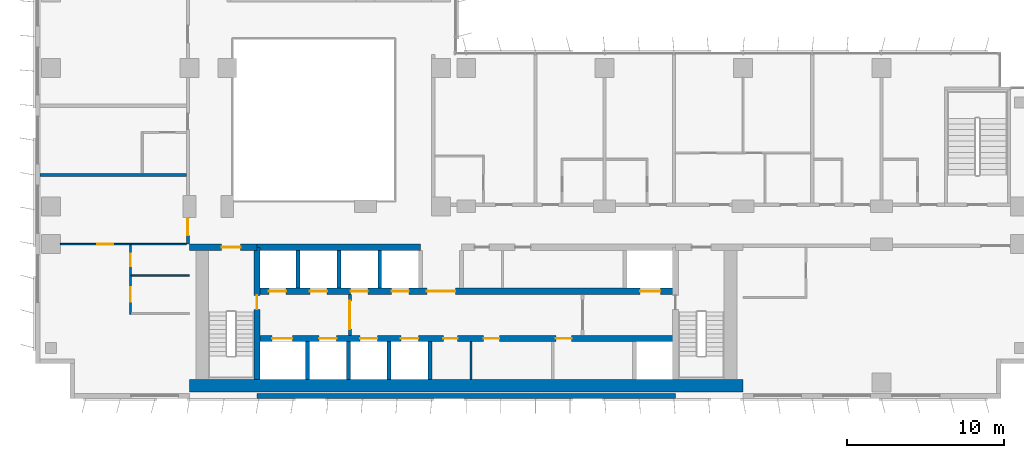
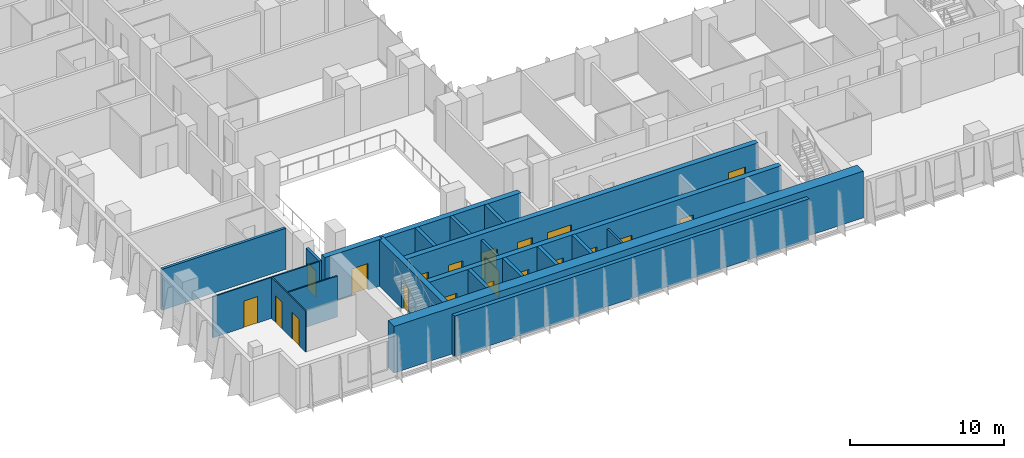
# One storey, part 12 of 22: 21 walls, 20 doors, 20 openings.
"""IFC4 building model written with IfcOpenShell, lengths in metres."""

from ifc_helpers import new_model, si_unit, direction, frame, frame_2d, origin, place, context, subcontext, project, spatial, rectangle, extrude, material, layer, layer_set, type_object, element, fill, save


model = new_model("IFC4")

# Units and contexts
model_context = context("Model", 3, precision=1e-05, world=origin(), true_north=direction((0.0, 1.0)))
body_context = subcontext(model_context, "Body", "Model", "MODEL_VIEW")
ifc_project = project(units=[si_unit("LENGTHUNIT", "METRE"), si_unit("AREAUNIT", "SQUARE_METRE"), si_unit("VOLUMEUNIT", "CUBIC_METRE"), si_unit("PLANEANGLEUNIT", "RADIAN"), si_unit("MASSUNIT", "GRAM", prefix="KILO")], contexts=[model_context])

# Site, building, storey
site_placement = place(None, origin())
site = spatial("IfcSite", under=ifc_project, at=site_placement, CompositionType="ELEMENT")
building_placement = place(site_placement, origin())
building = spatial("IfcBuilding", under=site, at=building_placement, Name="Kemantara Hotel Tower", CompositionType="ELEMENT")
storey_placement = place(building_placement, frame((0.0, 0.0, 129.60009765625)))
storey = spatial("IfcBuildingStorey", under=building, at=storey_placement, Name="L31", CompositionType="ELEMENT", Elevation=129.60009765625)

# Walls
ifc_material_1 = material(Name="Bronze anodised aluminium cladding on insulated steel stud wall", Category="steel")
ifc_layer_1 = layer(ifc_material_1, 0.300048828125)
ifc_layer_set_1 = layer_set([ifc_layer_1], Name="Bronze anodised aluminium cladding on insulated steel stud wall")
wall_type_1 = type_object("IfcWallType", Name="BRONZE METAL-CLAD EXTERNAL WALL 300", PredefinedType="STANDARD", material=ifc_layer_set_1)
wall_1_placement = place(storey_placement, frame((14.10009765625, 0.14990234375, 0.0), z_axis=(0.0, 0.0, 1.0), x_axis=(1.0, 0.0, 0.0)))
element("IfcWall", 1, at=wall_1_placement, inside=storey, type_object=wall_type_1, Name="EXTERNAL WALL L31 T2-R07-2", PredefinedType="STANDARD", context=body_context, shape_type="SweptSolid", body=[
    extrude(rectangle(XDim=26.599853515625, YDim=0.300048828125, at=frame_2d((13.2998046875, 0.0))), origin(), (0.0, 0.0, 1.0), 3.25),
])
ifc_material_2 = material(Name="Concrete fc 70 MPa", Category="concrete")
ifc_layer_2 = layer(ifc_material_2, 0.25)
ifc_layer_set_2 = layer_set([ifc_layer_2], Name="Concrete fc 70 MPa")
wall_type_2 = type_object("IfcWallType", Name="CORE WALL 250 FC70", PredefinedType="SHEAR", material=ifc_layer_set_2)
for number, where, z_axis, x_axis, name in (
    (2, (17.300048828125, 1.199951171875, 0.0), (0.0, 0.0, 1.0), (0.0, 1.0, 0.0), "CORE WALL CW-DS17.3"),
    (3, (19.89990234375, 1.199951171875, 0.0), (0.0, 0.0, 1.0), (0.0, 1.0, 0.0), "CORE WALL CW-DS19.9"),
    (4, (22.5, 1.199951171875, 0.0), (0.0, 0.0, 1.0), (0.0, 1.0, 0.0), "CORE WALL CW-DS22.5"),
    (5, (25.10009765625, 1.199951171875, 0.0), (0.0, 0.0, 1.0), (0.0, 1.0, 0.0), "CORE WALL CW-DS25.1"),
):
    element("IfcWall", number, at=place(storey_placement, frame(where, z_axis=z_axis, x_axis=x_axis)), inside=storey, type_object=wall_type_2, Name=name, PredefinedType="SHEAR", context=body_context, shape_type="SweptSolid", body=[
        extrude(rectangle(XDim=2.400146484375, YDim=0.25, at=frame_2d((1.2001953125, 0.0))), origin(), (0.0, 0.0, 1.0), 3.699951171875),
    ])
for number, where, z_axis, x_axis, name in (
    (6, (16.699951171875, 7.0, 0.0), (0.0, 0.0, 1.0), (0.0, 1.0, 0.0), "CORE WALL CW-DN16.7"),
    (7, (19.300048828125, 7.0, 0.0), (0.0, 0.0, 1.0), (0.0, 1.0, 0.0), "CORE WALL CW-DN19.3"),
    (8, (21.89990234375, 7.0, 0.0), (0.0, 0.0, 1.0), (0.0, 1.0, 0.0), "CORE WALL CW-DN21.9"),
):
    element("IfcWall", number, at=place(storey_placement, frame(where, z_axis=z_axis, x_axis=x_axis)), inside=storey, type_object=wall_type_2, Name=name, PredefinedType="SHEAR", context=body_context, shape_type="SweptSolid", body=[
        extrude(rectangle(XDim=2.39990234375, YDim=0.25, at=frame_2d((1.199951171875, 0.0))), origin(), (0.0, 0.0, 1.0), 3.699951171875),
    ])

# Wall, opening, door
ifc_layer_3 = layer(ifc_material_2, 0.39990234375)
ifc_layer_set_3 = layer_set([ifc_layer_3], Name="Concrete fc 70 MPa")
wall_type_3 = type_object("IfcWallType", Name="CORE WALL 400 FC70", PredefinedType="SHEAR", material=ifc_layer_set_3)
wall_2_placement = place(storey_placement, frame((9.800048828125, 9.60009765625, 0.0), z_axis=(0.0, 0.0, 1.0), x_axis=(1.0, 0.0, 0.0)))
wall_2 = element("IfcWall", 9, at=wall_2_placement, inside=storey, type_object=wall_type_3, Name="CORE WALL CW-N1", PredefinedType="SHEAR", context=body_context, shape_type="SweptSolid", body=[
    extrude(rectangle(XDim=4.300048828125, YDim=0.39990234375, at=frame_2d((2.14990234375, 0.0))), origin(), (0.0, 0.0, 1.0), 3.699951171875),
])
opening_1_placement = place(wall_2_placement, frame((2.050048828125, 0.0, 0.0)))
opening_1 = element("IfcOpeningElement", 10, at=opening_1_placement, cuts=wall_2, Name="Opening C20-ST1-C", PredefinedType="OPENING", context=body_context, shape_type="SweptSolid", body=[
    extrude(rectangle(XDim=1.199951171875, YDim=2.10009765625, at=frame_2d((0.60009765625, 1.050048828125))), frame((0.0, 0.2099609375, 0.0), z_axis=(0.0, -1.0, 0.0), x_axis=(1.0, 0.0, 0.0)), (0.0, 0.0, 1.0), 0.419921875),
])
ifc_material_3 = material(Name="Steel fire door", Category="steel")
door_type_1 = type_object("IfcDoorType", Name="Fire door FD90 1200 x 2100", OperationType="NOTDEFINED", PredefinedType="DOOR", material=ifc_material_3)
door_1_placement = place(opening_1_placement, frame((1.199951171875, 0.0, 0.0), z_axis=(0.0, 0.0, 1.0), x_axis=(-1.0, 0.0, 0.0)))
door_1 = element("IfcDoor", 11, at=door_1_placement, inside=storey, type_object=door_type_1, Name="Stair ST1 door to corridor", OperationType="SINGLE_SWING_LEFT", OverallHeight=2.10009765625, OverallWidth=1.199951171875, PredefinedType="DOOR", context=body_context, shape_type="SweptSolid", body=[
    extrude(rectangle(XDim=1.199951171875, YDim=2.10009765625, at=frame_2d((0.60009765625, 1.050048828125))), frame((0.0, 0.02490234375, 0.0), z_axis=(0.0, -1.0, 0.0), x_axis=(1.0, 0.0, 0.0)), (0.0, 0.0, 1.0), 0.050048828125),
])
fill(opening_1, door_1)

# Wall
wall_3_placement = place(storey_placement, frame((14.10009765625, 9.60009765625, 0.0), z_axis=(0.0, 0.0, 1.0), x_axis=(1.0, 0.0, 0.0)))
element("IfcWall", 12, at=wall_3_placement, inside=storey, type_object=wall_type_3, Name="CORE WALL CW-NN1", PredefinedType="SHEAR", context=body_context, shape_type="SweptSolid", body=[
    extrude(rectangle(XDim=10.39990234375, YDim=0.39990234375, at=frame_2d((5.199951171875, 0.0))), origin(), (0.0, 0.0, 1.0), 3.699951171875),
])

# Wall, openings, doors
wall_4_placement = place(storey_placement, frame((14.10009765625, 3.800048828125, 0.0), z_axis=(0.0, 0.0, 1.0), x_axis=(1.0, 0.0, 0.0)))
wall_4 = element("IfcWall", 13, at=wall_4_placement, inside=storey, type_object=wall_type_3, Name="CORE WALL CW-L1", PredefinedType="SHEAR", context=body_context, shape_type="SweptSolid", body=[
    extrude(rectangle(XDim=26.599853515625, YDim=0.39990234375, at=frame_2d((13.2998046875, 0.0))), origin(), (0.0, 0.0, 1.0), 3.699951171875),
])
opening_2_placement = place(wall_4_placement, frame((0.949951171875, 0.0, 0.0)))
opening_2 = element("IfcOpeningElement", 14, at=opening_2_placement, cuts=wall_4, Name="Opening C20-LD-FF1", PredefinedType="OPENING", context=body_context, shape_type="SweptSolid", body=[
    extrude(rectangle(XDim=1.300048828125, YDim=2.10009765625, at=frame_2d((0.64990234375, 1.050048828125))), frame((0.0, 0.2099609375, 0.0), z_axis=(0.0, -1.0, 0.0), x_axis=(1.0, 0.0, 0.0)), (0.0, 0.0, 1.0), 0.419921875),
])
opening_3_placement = place(wall_4_placement, frame((3.949951171875, 0.0, 0.0)))
opening_3 = element("IfcOpeningElement", 15, at=opening_3_placement, cuts=wall_4, Name="Opening C20-LD-SV1", PredefinedType="OPENING", context=body_context, shape_type="SweptSolid", body=[
    extrude(rectangle(XDim=1.10009765625, YDim=2.10009765625, at=frame_2d((0.550048828125, 1.050048828125))), frame((0.0, 0.2099609375, 0.0), z_axis=(0.0, -1.0, 0.0), x_axis=(1.0, 0.0, 0.0)), (0.0, 0.0, 1.0), 0.419921875),
])
opening_4_placement = place(wall_4_placement, frame((6.550048828125, 0.0, 0.0)))
opening_4 = element("IfcOpeningElement", 16, at=opening_4_placement, cuts=wall_4, Name="Opening C20-LD-SV2", PredefinedType="OPENING", context=body_context, shape_type="SweptSolid", body=[
    extrude(rectangle(XDim=1.10009765625, YDim=2.10009765625, at=frame_2d((0.550048828125, 1.050048828125))), frame((0.0, 0.2099609375, 0.0), z_axis=(0.0, -1.0, 0.0), x_axis=(1.0, 0.0, 0.0)), (0.0, 0.0, 1.0), 0.419921875),
])
opening_5_placement = place(wall_4_placement, frame((9.14990234375, 0.0, 0.0)))
opening_5 = element("IfcOpeningElement", 17, at=opening_5_placement, cuts=wall_4, Name="Opening C20-LD-SV3", PredefinedType="OPENING", context=body_context, shape_type="SweptSolid", body=[
    extrude(rectangle(XDim=1.10009765625, YDim=2.10009765625, at=frame_2d((0.550048828125, 1.050048828125))), frame((0.0, 0.2099609375, 0.0), z_axis=(0.0, -1.0, 0.0), x_axis=(1.0, 0.0, 0.0)), (0.0, 0.0, 1.0), 0.419921875),
])
opening_6_placement = place(wall_4_placement, frame((11.85009765625, 0.0, 0.0)))
opening_6 = element("IfcOpeningElement", 18, at=opening_6_placement, cuts=wall_4, Name="Opening C20-R-SM1", PredefinedType="OPENING", context=body_context, shape_type="SweptSolid", body=[
    extrude(rectangle(XDim=0.89990234375, YDim=2.10009765625, at=frame_2d((0.449951171875, 1.050048828125))), frame((0.0, 0.2099609375, 0.0), z_axis=(0.0, -1.0, 0.0), x_axis=(1.0, 0.0, 0.0)), (0.0, 0.0, 1.0), 0.419921875),
])
opening_7_placement = place(wall_4_placement, frame((14.39990234375, 0.0, 0.0)))
opening_7 = element("IfcOpeningElement", 19, at=opening_7_placement, cuts=wall_4, Name="Opening C20-R-SM2", PredefinedType="OPENING", context=body_context, shape_type="SweptSolid", body=[
    extrude(rectangle(XDim=1.0, YDim=2.10009765625, at=frame_2d((0.5, 1.050048828125))), frame((0.0, 0.2099609375, 0.0), z_axis=(0.0, -1.0, 0.0), x_axis=(1.0, 0.0, 0.0)), (0.0, 0.0, 1.0), 0.419921875),
])
opening_8_placement = place(wall_4_placement, frame((19.0, 0.0, 0.0)))
opening_8 = element("IfcOpeningElement", 20, at=opening_8_placement, cuts=wall_4, Name="Opening C20-R-SM3", PredefinedType="OPENING", context=body_context, shape_type="SweptSolid", body=[
    extrude(rectangle(XDim=1.0, YDim=2.10009765625, at=frame_2d((0.5, 1.050048828125))), frame((0.0, 0.2099609375, 0.0), z_axis=(0.0, -1.0, 0.0), x_axis=(1.0, 0.0, 0.0)), (0.0, 0.0, 1.0), 0.419921875),
])
door_type_2 = type_object("IfcDoorType", Name="Fire door FD30S 1000 x 2100", OperationType="NOTDEFINED", PredefinedType="DOOR", material=ifc_material_3)
door_2_placement = place(opening_7_placement, frame((1.0, 0.0, 0.0), z_axis=(0.0, 0.0, 1.0), x_axis=(-1.0, 0.0, 0.0)))
door_2 = element("IfcDoor", 21, at=door_2_placement, inside=storey, type_object=door_type_2, Name="Luggage Store door", OperationType="SINGLE_SWING_LEFT", OverallHeight=2.10009765625, OverallWidth=1.0, PredefinedType="DOOR", context=body_context, shape_type="SweptSolid", body=[
    extrude(rectangle(XDim=1.0, YDim=2.10009765625, at=frame_2d((0.5, 1.050048828125))), frame((0.0, 0.02490234375, 0.0), z_axis=(0.0, -1.0, 0.0), x_axis=(1.0, 0.0, 0.0)), (0.0, 0.0, 1.0), 0.050048828125),
])
fill(opening_7, door_2)
door_3_placement = place(opening_8_placement, frame((1.0, 0.0, 0.0), z_axis=(0.0, 0.0, 1.0), x_axis=(-1.0, 0.0, 0.0)))
door_3 = element("IfcDoor", 22, at=door_3_placement, inside=storey, type_object=door_type_2, Name="Ice And Vending Room door", OperationType="SINGLE_SWING_LEFT", OverallHeight=2.10009765625, OverallWidth=1.0, PredefinedType="DOOR", context=body_context, shape_type="SweptSolid", body=[
    extrude(rectangle(XDim=1.0, YDim=2.10009765625, at=frame_2d((0.5, 1.050048828125))), frame((0.0, 0.02490234375, 0.0), z_axis=(0.0, -1.0, 0.0), x_axis=(1.0, 0.0, 0.0)), (0.0, 0.0, 1.0), 0.050048828125),
])
fill(opening_8, door_3)
door_type_3 = type_object("IfcDoorType", Name="Fire door FD60 900 x 2100", OperationType="NOTDEFINED", PredefinedType="DOOR", material=ifc_material_3)
door_4_placement = place(opening_6_placement, frame((0.89990234375, 0.0, 0.0), z_axis=(0.0, 0.0, 1.0), x_axis=(-1.0, 0.0, 0.0)))
door_4 = element("IfcDoor", 23, at=door_4_placement, inside=storey, type_object=door_type_3, Name="Electrical Riser Room door", OperationType="SINGLE_SWING_RIGHT", OverallHeight=2.10009765625, OverallWidth=0.89990234375, PredefinedType="DOOR", context=body_context, shape_type="SweptSolid", body=[
    extrude(rectangle(XDim=0.89990234375, YDim=2.10009765625, at=frame_2d((0.449951171875, 1.050048828125))), frame((0.0, 0.02490234375, 0.0), z_axis=(0.0, -1.0, 0.0), x_axis=(1.0, 0.0, 0.0)), (0.0, 0.0, 1.0), 0.050048828125),
])
fill(opening_6, door_4)
ifc_material_4 = material(Name="Stainless steel lift door", Category="steel")
door_type_4 = type_object("IfcDoorType", Name="Lift landing door 1100 x 2100 FD60", OperationType="DOUBLE_DOOR_SLIDING", PredefinedType="DOOR", material=ifc_material_4)
door_5_placement = place(opening_3_placement, origin())
door_5 = element("IfcDoor", 24, at=door_5_placement, inside=storey, type_object=door_type_4, Name="Lift SV1 landing door", OperationType="DOUBLE_DOOR_SLIDING", OverallHeight=2.10009765625, OverallWidth=1.10009765625, PredefinedType="DOOR", context=body_context, shape_type="SweptSolid", body=[
    extrude(rectangle(XDim=1.10009765625, YDim=2.10009765625, at=frame_2d((0.550048828125, 1.050048828125))), frame((0.0, 0.02490234375, 0.0), z_axis=(0.0, -1.0, 0.0), x_axis=(1.0, 0.0, 0.0)), (0.0, 0.0, 1.0), 0.050048828125),
])
fill(opening_3, door_5)
door_6_placement = place(opening_4_placement, origin())
door_6 = element("IfcDoor", 25, at=door_6_placement, inside=storey, type_object=door_type_4, Name="Lift SV2 landing door", OperationType="DOUBLE_DOOR_SLIDING", OverallHeight=2.10009765625, OverallWidth=1.10009765625, PredefinedType="DOOR", context=body_context, shape_type="SweptSolid", body=[
    extrude(rectangle(XDim=1.10009765625, YDim=2.10009765625, at=frame_2d((0.550048828125, 1.050048828125))), frame((0.0, 0.02490234375, 0.0), z_axis=(0.0, -1.0, 0.0), x_axis=(1.0, 0.0, 0.0)), (0.0, 0.0, 1.0), 0.050048828125),
])
fill(opening_4, door_6)
door_7_placement = place(opening_5_placement, origin())
door_7 = element("IfcDoor", 26, at=door_7_placement, inside=storey, type_object=door_type_4, Name="Lift SV3 landing door", OperationType="DOUBLE_DOOR_SLIDING", OverallHeight=2.10009765625, OverallWidth=1.10009765625, PredefinedType="DOOR", context=body_context, shape_type="SweptSolid", body=[
    extrude(rectangle(XDim=1.10009765625, YDim=2.10009765625, at=frame_2d((0.550048828125, 1.050048828125))), frame((0.0, 0.02490234375, 0.0), z_axis=(0.0, -1.0, 0.0), x_axis=(1.0, 0.0, 0.0)), (0.0, 0.0, 1.0), 0.050048828125),
])
fill(opening_5, door_7)
door_type_5 = type_object("IfcDoorType", Name="Lift landing door 1300 x 2100 FD90", OperationType="DOUBLE_DOOR_SLIDING", PredefinedType="DOOR", material=ifc_material_4)
door_8_placement = place(opening_2_placement, origin())
door_8 = element("IfcDoor", 27, at=door_8_placement, inside=storey, type_object=door_type_5, Name="Lift FF1 landing door", OperationType="DOUBLE_DOOR_SLIDING", OverallHeight=2.10009765625, OverallWidth=1.300048828125, PredefinedType="DOOR", context=body_context, shape_type="SweptSolid", body=[
    extrude(rectangle(XDim=1.300048828125, YDim=2.10009765625, at=frame_2d((0.64990234375, 1.050048828125))), frame((0.0, 0.02490234375, 0.0), z_axis=(0.0, -1.0, 0.0), x_axis=(1.0, 0.0, 0.0)), (0.0, 0.0, 1.0), 0.050048828125),
])
fill(opening_2, door_8)

wall_5_placement = place(storey_placement, frame((14.10009765625, 6.800048828125, 0.0), z_axis=(0.0, 0.0, 1.0), x_axis=(1.0, 0.0, 0.0)))
wall_5 = element("IfcWall", 28, at=wall_5_placement, inside=storey, type_object=wall_type_3, Name="CORE WALL CW-L2", PredefinedType="SHEAR", context=body_context, shape_type="SweptSolid", body=[
    extrude(rectangle(XDim=26.599853515625, YDim=0.39990234375, at=frame_2d((13.2998046875, 0.0))), origin(), (0.0, 0.0, 1.0), 3.699951171875),
])
opening_9_placement = place(wall_5_placement, frame((10.800048828125, 0.0, 0.0)))
opening_9 = element("IfcOpeningElement", 29, at=opening_9_placement, cuts=wall_5, Name="Opening C20-VL", PredefinedType="OPENING", context=body_context, shape_type="SweptSolid", body=[
    extrude(rectangle(XDim=1.800048828125, YDim=2.10009765625, at=frame_2d((0.89990234375, 1.050048828125))), frame((0.0, 0.2099609375, 0.0), z_axis=(0.0, -1.0, 0.0), x_axis=(1.0, 0.0, 0.0)), (0.0, 0.0, 1.0), 0.419921875),
])
opening_10_placement = place(wall_5_placement, frame((0.75, 0.0, 0.0)))
opening_10 = element("IfcOpeningElement", 30, at=opening_10_placement, cuts=wall_5, Name="Opening C20-LD-MR1", PredefinedType="OPENING", context=body_context, shape_type="SweptSolid", body=[
    extrude(rectangle(XDim=1.10009765625, YDim=2.10009765625, at=frame_2d((0.550048828125, 1.050048828125))), frame((0.0, 0.2099609375, 0.0), z_axis=(0.0, -1.0, 0.0), x_axis=(1.0, 0.0, 0.0)), (0.0, 0.0, 1.0), 0.419921875),
])
opening_11_placement = place(wall_5_placement, frame((3.35009765625, 0.0, 0.0)))
opening_11 = element("IfcOpeningElement", 31, at=opening_11_placement, cuts=wall_5, Name="Opening C20-LD-MR2", PredefinedType="OPENING", context=body_context, shape_type="SweptSolid", body=[
    extrude(rectangle(XDim=1.10009765625, YDim=2.10009765625, at=frame_2d((0.550048828125, 1.050048828125))), frame((0.0, 0.2099609375, 0.0), z_axis=(0.0, -1.0, 0.0), x_axis=(1.0, 0.0, 0.0)), (0.0, 0.0, 1.0), 0.419921875),
])
opening_12_placement = place(wall_5_placement, frame((5.949951171875, 0.0, 0.0)))
opening_12 = element("IfcOpeningElement", 32, at=opening_12_placement, cuts=wall_5, Name="Opening C20-LD-MR3", PredefinedType="OPENING", context=body_context, shape_type="SweptSolid", body=[
    extrude(rectangle(XDim=1.10009765625, YDim=2.10009765625, at=frame_2d((0.550048828125, 1.050048828125))), frame((0.0, 0.2099609375, 0.0), z_axis=(0.0, -1.0, 0.0), x_axis=(1.0, 0.0, 0.0)), (0.0, 0.0, 1.0), 0.419921875),
])
opening_13_placement = place(wall_5_placement, frame((8.550048828125, 0.0, 0.0)))
opening_13 = element("IfcOpeningElement", 33, at=opening_13_placement, cuts=wall_5, Name="Opening C20-LD-MR4", PredefinedType="OPENING", context=body_context, shape_type="SweptSolid", body=[
    extrude(rectangle(XDim=1.10009765625, YDim=2.10009765625, at=frame_2d((0.550048828125, 1.050048828125))), frame((0.0, 0.2099609375, 0.0), z_axis=(0.0, -1.0, 0.0), x_axis=(1.0, 0.0, 0.0)), (0.0, 0.0, 1.0), 0.419921875),
])
opening_14_placement = place(wall_5_placement, frame((24.35009765625, 0.0, 0.0)))
opening_14 = element("IfcOpeningElement", 34, at=opening_14_placement, cuts=wall_5, Name="Opening C20-LD-FF2", PredefinedType="OPENING", context=body_context, shape_type="SweptSolid", body=[
    extrude(rectangle(XDim=1.300048828125, YDim=2.10009765625, at=frame_2d((0.64990234375, 1.050048828125))), frame((0.0, 0.2099609375, 0.0), z_axis=(0.0, -1.0, 0.0), x_axis=(1.0, 0.0, 0.0)), (0.0, 0.0, 1.0), 0.419921875),
])
door_type_6 = type_object("IfcDoorType", Name="Fire door pair FD60 1800 x 2100", OperationType="DOUBLE_DOOR_SINGLE_SWING", PredefinedType="DOOR", material=ifc_material_3)
door_9_placement = place(opening_9_placement, frame((1.800048828125, 0.0, 0.0), z_axis=(0.0, 0.0, 1.0), x_axis=(-1.0, 0.0, 0.0)))
door_9 = element("IfcDoor", 35, at=door_9_placement, inside=storey, type_object=door_type_6, Name="Lift lobby entry door", OperationType="DOUBLE_DOOR_SINGLE_SWING", OverallHeight=2.10009765625, OverallWidth=1.800048828125, PredefinedType="DOOR", context=body_context, shape_type="SweptSolid", body=[
    extrude(rectangle(XDim=1.800048828125, YDim=2.10009765625, at=frame_2d((0.89990234375, 1.050048828125))), frame((0.0, 0.02490234375, 0.0), z_axis=(0.0, -1.0, 0.0), x_axis=(1.0, 0.0, 0.0)), (0.0, 0.0, 1.0), 0.050048828125),
])
fill(opening_9, door_9)
door_10_placement = place(opening_10_placement, origin())
door_10 = element("IfcDoor", 36, at=door_10_placement, inside=storey, type_object=door_type_4, Name="Lift MR1 landing door", OperationType="DOUBLE_DOOR_SLIDING", OverallHeight=2.10009765625, OverallWidth=1.10009765625, PredefinedType="DOOR", context=body_context, shape_type="SweptSolid", body=[
    extrude(rectangle(XDim=1.10009765625, YDim=2.10009765625, at=frame_2d((0.550048828125, 1.050048828125))), frame((0.0, 0.02490234375, 0.0), z_axis=(0.0, -1.0, 0.0), x_axis=(1.0, 0.0, 0.0)), (0.0, 0.0, 1.0), 0.050048828125),
])
fill(opening_10, door_10)
door_11_placement = place(opening_11_placement, origin())
door_11 = element("IfcDoor", 37, at=door_11_placement, inside=storey, type_object=door_type_4, Name="Lift MR2 landing door", OperationType="DOUBLE_DOOR_SLIDING", OverallHeight=2.10009765625, OverallWidth=1.10009765625, PredefinedType="DOOR", context=body_context, shape_type="SweptSolid", body=[
    extrude(rectangle(XDim=1.10009765625, YDim=2.10009765625, at=frame_2d((0.550048828125, 1.050048828125))), frame((0.0, 0.02490234375, 0.0), z_axis=(0.0, -1.0, 0.0), x_axis=(1.0, 0.0, 0.0)), (0.0, 0.0, 1.0), 0.050048828125),
])
fill(opening_11, door_11)
door_12_placement = place(opening_12_placement, origin())
door_12 = element("IfcDoor", 38, at=door_12_placement, inside=storey, type_object=door_type_4, Name="Lift MR3 landing door", OperationType="DOUBLE_DOOR_SLIDING", OverallHeight=2.10009765625, OverallWidth=1.10009765625, PredefinedType="DOOR", context=body_context, shape_type="SweptSolid", body=[
    extrude(rectangle(XDim=1.10009765625, YDim=2.10009765625, at=frame_2d((0.550048828125, 1.050048828125))), frame((0.0, 0.02490234375, 0.0), z_axis=(0.0, -1.0, 0.0), x_axis=(1.0, 0.0, 0.0)), (0.0, 0.0, 1.0), 0.050048828125),
])
fill(opening_12, door_12)
door_13_placement = place(opening_13_placement, origin())
door_13 = element("IfcDoor", 39, at=door_13_placement, inside=storey, type_object=door_type_4, Name="Lift MR4 landing door", OperationType="DOUBLE_DOOR_SLIDING", OverallHeight=2.10009765625, OverallWidth=1.10009765625, PredefinedType="DOOR", context=body_context, shape_type="SweptSolid", body=[
    extrude(rectangle(XDim=1.10009765625, YDim=2.10009765625, at=frame_2d((0.550048828125, 1.050048828125))), frame((0.0, 0.02490234375, 0.0), z_axis=(0.0, -1.0, 0.0), x_axis=(1.0, 0.0, 0.0)), (0.0, 0.0, 1.0), 0.050048828125),
])
fill(opening_13, door_13)
door_14_placement = place(opening_14_placement, origin())
door_14 = element("IfcDoor", 40, at=door_14_placement, inside=storey, type_object=door_type_5, Name="Lift FF2 landing door", OperationType="DOUBLE_DOOR_SLIDING", OverallHeight=2.10009765625, OverallWidth=1.300048828125, PredefinedType="DOOR", context=body_context, shape_type="SweptSolid", body=[
    extrude(rectangle(XDim=1.300048828125, YDim=2.10009765625, at=frame_2d((0.64990234375, 1.050048828125))), frame((0.0, 0.02490234375, 0.0), z_axis=(0.0, -1.0, 0.0), x_axis=(1.0, 0.0, 0.0)), (0.0, 0.0, 1.0), 0.050048828125),
])
fill(opening_14, door_14)

# Wall, opening, door
wall_6_placement = place(storey_placement, frame((14.10009765625, 1.199951171875, 0.0), z_axis=(0.0, 0.0, 1.0), x_axis=(0.0, 1.0, 0.0)))
wall_6 = element("IfcWall", 41, at=wall_6_placement, inside=storey, type_object=wall_type_3, Name="CORE WALL CW-ST1E", PredefinedType="SHEAR", context=body_context, shape_type="SweptSolid", body=[
    extrude(rectangle(XDim=8.400146484375, YDim=0.39990234375, at=frame_2d((4.2001953125, 0.0))), origin(), (0.0, 0.0, 1.0), 3.699951171875),
])
opening_15_placement = place(wall_6_placement, frame((4.449951171875, 0.0, 0.0)))
opening_15 = element("IfcOpeningElement", 42, at=opening_15_placement, cuts=wall_6, Name="Opening C20-ST1-F", PredefinedType="OPENING", context=body_context, shape_type="SweptSolid", body=[
    extrude(rectangle(XDim=0.89990234375, YDim=2.10009765625, at=frame_2d((0.449951171875, 1.050048828125))), frame((0.0, 0.2099609375, 0.0), z_axis=(0.0, -1.0, 0.0), x_axis=(1.0, 0.0, 0.0)), (0.0, 0.0, 1.0), 0.419921875),
])
door_type_7 = type_object("IfcDoorType", Name="Fire door FD90 900 x 2100", OperationType="NOTDEFINED", PredefinedType="DOOR", material=ifc_material_3)
door_15_placement = place(opening_15_placement, origin())
door_15 = element("IfcDoor", 43, at=door_15_placement, inside=storey, type_object=door_type_7, Name="Stair ST1 door to firefighting lobby", OperationType="SINGLE_SWING_RIGHT", OverallHeight=2.10009765625, OverallWidth=0.89990234375, PredefinedType="DOOR", context=body_context, shape_type="SweptSolid", body=[
    extrude(rectangle(XDim=0.89990234375, YDim=2.10009765625, at=frame_2d((0.449951171875, 1.050048828125))), frame((0.0, 0.02490234375, 0.0), z_axis=(0.0, -1.0, 0.0), x_axis=(1.0, 0.0, 0.0)), (0.0, 0.0, 1.0), 0.050048828125),
])
fill(opening_15, door_15)

# Wall
ifc_layer_4 = layer(ifc_material_2, 0.800048828125)
ifc_layer_set_4 = layer_set([ifc_layer_4], Name="Concrete fc 70 MPa")
wall_type_4 = type_object("IfcWallType", Name="CORE WALL 800 FC70", PredefinedType="SHEAR", material=ifc_layer_set_4)
wall_7_placement = place(storey_placement, frame((9.800048828125, 0.800048828125, 0.0), z_axis=(0.0, 0.0, 1.0), x_axis=(1.0, 0.0, 0.0)))
element("IfcWall", 44, at=wall_7_placement, inside=storey, type_object=wall_type_4, Name="CORE WALL CW-S", PredefinedType="SHEAR", context=body_context, shape_type="SweptSolid", body=[
    extrude(rectangle(XDim=35.199951171875, YDim=0.800048828125, at=frame_2d((17.60009765625, 0.0))), origin(), (0.0, 0.0, 1.0), 3.699951171875),
])

# Wall, opening, door
ifc_material_5 = material(Name="Gypsum board partition, steel studs and mineral wool, 200 mm", Category="steel")
ifc_layer_5 = layer(ifc_material_5, 0.199951171875)
ifc_layer_set_5 = layer_set([ifc_layer_5], Name="Gypsum board partition, steel studs and mineral wool, 200 mm")
wall_type_5 = type_object("IfcWallType", Name="CORRIDOR WALL 200", PredefinedType="PARTITIONING", material=ifc_layer_set_5)
wall_8_placement = place(storey_placement, frame((9.699951171875, 9.800048828125, 0.0), z_axis=(0.0, 0.0, 1.0), x_axis=(0.0, 1.0, 0.0)))
wall_8 = element("IfcWall", 45, at=wall_8_placement, inside=storey, type_object=wall_type_5, Name="CORRIDOR WALL 200 015", PredefinedType="PARTITIONING", context=body_context, shape_type="SweptSolid", body=[
    extrude(rectangle(XDim=1.699951171875, YDim=0.199951171875, at=frame_2d((0.85009765625, 0.0))), origin(), (0.0, 0.0, 1.0), 3.25),
])
opening_16_placement = place(wall_8_placement, frame((0.550048828125, 0.0, 0.0)))
opening_16 = element("IfcOpeningElement", 46, at=opening_16_placement, cuts=wall_8, Name="Opening F14-017", PredefinedType="OPENING", context=body_context, shape_type="SweptSolid", body=[
    extrude(rectangle(XDim=1.10009765625, YDim=2.10009765625, at=frame_2d((0.550048828125, 1.050048828125))), frame((0.0, 0.10986328125, 0.0), z_axis=(0.0, -1.0, 0.0), x_axis=(1.0, 0.0, 0.0)), (0.0, 0.0, 1.0), 0.219970703125),
])
ifc_material_6 = material(Name="Hardwood veneer door leaf with steel frame", Category="steel")
door_type_8 = type_object("IfcDoorType", Name="SUITE ENTRANCE DOOR 1100 X 2100 FD30S", OperationType="NOTDEFINED", PredefinedType="DOOR", material=ifc_material_6)
door_16_placement = place(opening_16_placement, origin())
door_16 = element("IfcDoor", 47, at=door_16_placement, inside=storey, type_object=door_type_8, Name="SUITE ENTRANCE DOOR F14-017", OperationType="SINGLE_SWING_RIGHT", OverallHeight=2.10009765625, OverallWidth=1.10009765625, PredefinedType="DOOR", context=body_context, shape_type="SweptSolid", body=[
    extrude(rectangle(XDim=1.10009765625, YDim=2.10009765625, at=frame_2d((0.550048828125, 1.050048828125))), frame((0.0, 0.02490234375, 0.0), z_axis=(0.0, -1.0, 0.0), x_axis=(1.0, 0.0, 0.0)), (0.0, 0.0, 1.0), 0.050048828125),
])
fill(opening_16, door_16)

# Walls
ifc_layer_6 = layer(ifc_material_5, 0.199951171875)
ifc_layer_set_6 = layer_set([ifc_layer_6], Name="Gypsum board partition, steel studs and mineral wool, 200 mm")
wall_type_6 = type_object("IfcWallType", Name="GUEST ROOM PARTY WALL 200", PredefinedType="PARTITIONING", material=ifc_layer_set_6)
wall_9_placement = place(storey_placement, frame((0.31005859375, 14.199951171875, 0.0), z_axis=(0.0, 0.0, 1.0), x_axis=(1.0, 0.0, 0.0)))
element("IfcWall", 48, at=wall_9_placement, inside=storey, type_object=wall_type_6, Name="GUEST ROOM PARTY WALL 200 024", PredefinedType="PARTITIONING", context=body_context, shape_type="SweptSolid", body=[
    extrude(rectangle(XDim=9.2900390625, YDim=0.199951171875, at=frame_2d((4.64501953125, 0.0))), origin(), (0.0, 0.0, 1.0), 3.25),
])
ifc_material_7 = material(Name="Gypsum board partition")
ifc_layer_7 = layer(ifc_material_7, 0.14990234375)
ifc_layer_set_7 = layer_set([ifc_layer_7], Name="Gypsum board partition")
wall_type_7 = type_object("IfcWallType", Name="Gypsum board partition 150 mm", PredefinedType="PARTITIONING", material=ifc_layer_set_7)
wall_10_placement = place(storey_placement, frame((27.699951171875, 1.199951171875, 0.0), z_axis=(0.0, 0.0, 1.0), x_axis=(0.0, 1.0, 0.0)))
element("IfcWall", 49, at=wall_10_placement, inside=storey, type_object=wall_type_7, Name="Core room partition", PredefinedType="PARTITIONING", context=body_context, shape_type="SweptSolid", body=[
    extrude(rectangle(XDim=2.400146484375, YDim=0.14990234375, at=frame_2d((1.2001953125, 0.0))), origin(), (0.0, 0.0, 1.0), 3.25),
])

# Wall, opening, door
ifc_material_8 = material(Name="Gypsum board shaft wall")
ifc_layer_8 = layer(ifc_material_8, 0.199951171875)
ifc_layer_set_8 = layer_set([ifc_layer_8], Name="Gypsum board shaft wall")
wall_type_8 = type_object("IfcWallType", Name="Gypsum board shaft wall 200 mm", PredefinedType="PARTITIONING", material=ifc_layer_set_8)
wall_11_placement = place(storey_placement, frame((20.0, 4.0, 0.0), z_axis=(0.0, 0.0, 1.0), x_axis=(0.0, 1.0, 0.0)))
wall_11 = element("IfcWall", 50, at=wall_11_placement, inside=storey, type_object=wall_type_8, Name="Firefighting lobby partition west", PredefinedType="PARTITIONING", context=body_context, shape_type="SweptSolid", body=[
    extrude(rectangle(XDim=2.60009765625, YDim=0.199951171875, at=frame_2d((1.300048828125, 0.0))), origin(), (0.0, 0.0, 1.0), 3.25),
])
opening_17_placement = place(wall_11_placement, frame((0.39990234375, 0.0, 0.0)))
opening_17 = element("IfcOpeningElement", 51, at=opening_17_placement, cuts=wall_11, Name="Opening C20-FFW", PredefinedType="OPENING", context=body_context, shape_type="SweptSolid", body=[
    extrude(rectangle(XDim=1.800048828125, YDim=2.10009765625, at=frame_2d((0.89990234375, 1.050048828125))), frame((0.0, 0.10986328125, 0.0), z_axis=(0.0, -1.0, 0.0), x_axis=(1.0, 0.0, 0.0)), (0.0, 0.0, 1.0), 0.219970703125),
])
door_17_placement = place(opening_17_placement, origin())
door_17 = element("IfcDoor", 52, at=door_17_placement, inside=storey, type_object=door_type_6, Name="Firefighting lobby door west", OperationType="DOUBLE_DOOR_SINGLE_SWING", OverallHeight=2.10009765625, OverallWidth=1.800048828125, PredefinedType="DOOR", context=body_context, shape_type="SweptSolid", body=[
    extrude(rectangle(XDim=1.800048828125, YDim=2.10009765625, at=frame_2d((0.89990234375, 1.050048828125))), frame((0.0, 0.02490234375, 0.0), z_axis=(0.0, -1.0, 0.0), x_axis=(1.0, 0.0, 0.0)), (0.0, 0.0, 1.0), 0.050048828125),
])
fill(opening_17, door_17)

# Wall, openings, doors
ifc_material_9 = material(Name="Gypsum board partition on steel studs, 100 mm", Category="steel")
ifc_layer_9 = layer(ifc_material_9, 0.10009765625)
ifc_layer_set_9 = layer_set([ifc_layer_9], Name="Gypsum board partition on steel studs, 100 mm")
wall_type_9 = type_object("IfcWallType", Name="ROOM PARTITION 100", PredefinedType="PARTITIONING", material=ifc_layer_set_9)
wall_12_placement = place(storey_placement, frame((6.050048828125, 9.75, 0.0), z_axis=(0.0, 0.0, 1.0), x_axis=(0.0, -1.0, 0.0)))
wall_12 = element("IfcWall", 53, at=wall_12_placement, inside=storey, type_object=wall_type_9, Name="ROOM PARTITION 100 070", PredefinedType="PARTITIONING", context=body_context, shape_type="SweptSolid", body=[
    extrude(rectangle(XDim=4.39990234375, YDim=0.10009765625, at=frame_2d((2.199951171875, 0.0))), origin(), (0.0, 0.0, 1.0), 3.25),
])
opening_18_placement = place(wall_12_placement, frame((2.699951171875, 0.0, 0.0)))
opening_18 = element("IfcOpeningElement", 54, at=opening_18_placement, cuts=wall_12, Name="Opening F14-019", PredefinedType="OPENING", context=body_context, shape_type="SweptSolid", body=[
    extrude(rectangle(XDim=0.89990234375, YDim=2.10009765625, at=frame_2d((0.449951171875, 1.050048828125))), frame((0.0, 0.06005859375, 0.0), z_axis=(0.0, -1.0, 0.0), x_axis=(1.0, 0.0, 0.0)), (0.0, 0.0, 1.0), 0.1201171875),
])
opening_19_placement = place(wall_12_placement, frame((0.550048828125, 0.0, 0.0)))
opening_19 = element("IfcOpeningElement", 55, at=opening_19_placement, cuts=wall_12, Name="Opening F14-020", PredefinedType="OPENING", context=body_context, shape_type="SweptSolid", body=[
    extrude(rectangle(XDim=0.800048828125, YDim=2.10009765625, at=frame_2d((0.39990234375, 1.050048828125))), frame((0.0, 0.06005859375, 0.0), z_axis=(0.0, -1.0, 0.0), x_axis=(1.0, 0.0, 0.0)), (0.0, 0.0, 1.0), 0.1201171875),
])
door_type_9 = type_object("IfcDoorType", Name="BATHROOM DOOR 900 X 2100", OperationType="NOTDEFINED", PredefinedType="DOOR", material=ifc_material_6)
door_18_placement = place(opening_18_placement, origin())
door_18 = element("IfcDoor", 56, at=door_18_placement, inside=storey, type_object=door_type_9, Name="BATHROOM DOOR F14-019", OperationType="SINGLE_SWING_LEFT", OverallHeight=2.10009765625, OverallWidth=0.89990234375, PredefinedType="DOOR", context=body_context, shape_type="SweptSolid", body=[
    extrude(rectangle(XDim=0.89990234375, YDim=2.10009765625, at=frame_2d((0.449951171875, 1.050048828125))), frame((0.0, 0.02490234375, 0.0), z_axis=(0.0, -1.0, 0.0), x_axis=(1.0, 0.0, 0.0)), (0.0, 0.0, 1.0), 0.050048828125),
])
fill(opening_18, door_18)
door_type_10 = type_object("IfcDoorType", Name="WARDROBE DOOR 800 X 2100", OperationType="NOTDEFINED", PredefinedType="DOOR", material=ifc_material_6)
door_19_placement = place(opening_19_placement, origin())
door_19 = element("IfcDoor", 57, at=door_19_placement, inside=storey, type_object=door_type_10, Name="WARDROBE DOOR F14-020", OperationType="SINGLE_SWING_LEFT", OverallHeight=2.10009765625, OverallWidth=0.800048828125, PredefinedType="DOOR", context=body_context, shape_type="SweptSolid", body=[
    extrude(rectangle(XDim=0.800048828125, YDim=2.10009765625, at=frame_2d((0.39990234375, 1.050048828125))), frame((0.0, 0.02490234375, 0.0), z_axis=(0.0, -1.0, 0.0), x_axis=(1.0, 0.0, 0.0)), (0.0, 0.0, 1.0), 0.050048828125),
])
fill(opening_19, door_19)

# Wall, opening, door
wall_13_placement = place(storey_placement, frame((9.60009765625, 9.800048828125, 0.0), z_axis=(0.0, 0.0, 1.0), x_axis=(-1.0, 0.0, 0.0)))
wall_13 = element("IfcWall", 58, at=wall_13_placement, inside=storey, type_object=wall_type_9, Name="ROOM PARTITION 100 072", PredefinedType="PARTITIONING", context=body_context, shape_type="SweptSolid", body=[
    extrude(rectangle(XDim=8.0, YDim=0.10009765625, at=frame_2d((4.0, 0.0))), origin(), (0.0, 0.0, 1.0), 3.25),
])
opening_20_placement = place(wall_13_placement, frame((4.64990234375, 0.0, 0.0)))
opening_20 = element("IfcOpeningElement", 59, at=opening_20_placement, cuts=wall_13, Name="Opening F14-018", PredefinedType="OPENING", context=body_context, shape_type="SweptSolid", body=[
    extrude(rectangle(XDim=1.0, YDim=2.10009765625, at=frame_2d((0.5, 1.050048828125))), frame((0.0, 0.06005859375, 0.0), z_axis=(0.0, -1.0, 0.0), x_axis=(1.0, 0.0, 0.0)), (0.0, 0.0, 1.0), 0.1201171875),
])
door_type_11 = type_object("IfcDoorType", Name="INTERNAL DOOR 1000 X 2100", OperationType="NOTDEFINED", PredefinedType="DOOR", material=ifc_material_6)
door_20_placement = place(opening_20_placement, origin())
door_20 = element("IfcDoor", 60, at=door_20_placement, inside=storey, type_object=door_type_11, Name="INTERNAL DOOR F14-018", OperationType="SINGLE_SWING_LEFT", OverallHeight=2.10009765625, OverallWidth=1.0, PredefinedType="DOOR", context=body_context, shape_type="SweptSolid", body=[
    extrude(rectangle(XDim=1.0, YDim=2.10009765625, at=frame_2d((0.5, 1.050048828125))), frame((0.0, 0.02490234375, 0.0), z_axis=(0.0, -1.0, 0.0), x_axis=(1.0, 0.0, 0.0)), (0.0, 0.0, 1.0), 0.050048828125),
])
fill(opening_20, door_20)

# Wall
wall_14_placement = place(storey_placement, frame((6.10009765625, 7.800048828125, 0.0), z_axis=(0.0, 0.0, 1.0), x_axis=(1.0, 0.0, 0.0)))
element("IfcWall", 61, at=wall_14_placement, inside=storey, type_object=wall_type_9, Name="ROOM PARTITION 100 074", PredefinedType="PARTITIONING", context=body_context, shape_type="SweptSolid", body=[
    extrude(rectangle(XDim=3.69970703125, YDim=0.10009765625, at=frame_2d((1.849853515625, 0.0))), origin(), (0.0, 0.0, 1.0), 3.25),
])

save(model, "model.ifc")
